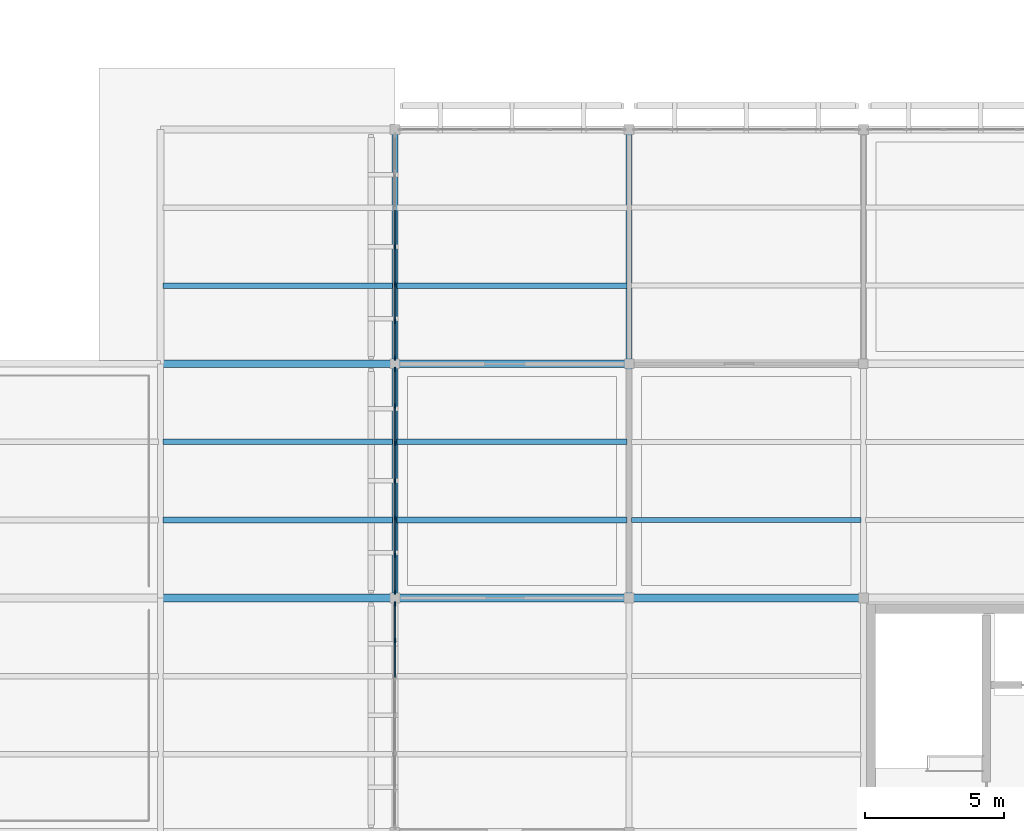
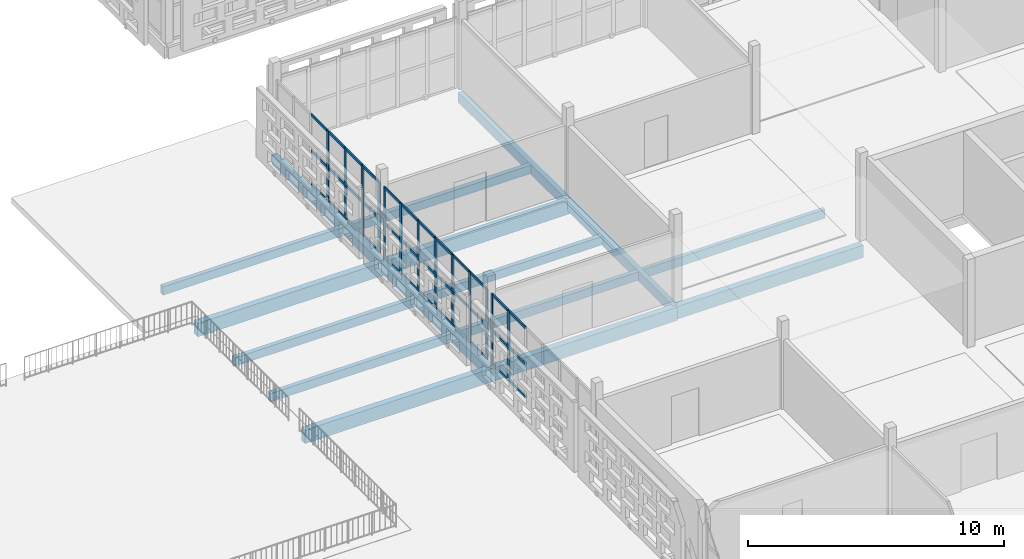
# One storey, part 61 of 166: 49 members, 16 beams, 3 elements without a shape of their own.
"""IFC4 building model written with IfcOpenShell, lengths in metres."""

from ifc_helpers import new_model, si_unit, direction, frame, origin, origin_2d, place, context, subcontext, project, spatial, rectangle, extrude, material, layer, layer_set, material_profile, profile_set, type_object, element, aggregate, save


model = new_model("IFC4")

# Units and contexts
model_context = context("Model", 3, precision=1e-05, world=origin(), true_north=direction((0.0, 1.0)))
body_context = subcontext(model_context, "Body", "Model", "MODEL_VIEW")
ifc_project = project(units=[si_unit("LENGTHUNIT", "METRE"), si_unit("AREAUNIT", "SQUARE_METRE"), si_unit("VOLUMEUNIT", "CUBIC_METRE"), si_unit("PLANEANGLEUNIT", "RADIAN"), si_unit("MASSUNIT", "GRAM", prefix="KILO")], contexts=[model_context])

# Site, building, storey
site_placement = place(None, origin())
site = spatial("IfcSite", under=ifc_project, at=site_placement, CompositionType="ELEMENT")
building_placement = place(site_placement, origin())
building = spatial("IfcBuilding", under=site, at=building_placement, Name="Varnapada Polytechnic", CompositionType="ELEMENT")
storey_placement = place(building_placement, frame((0.0, 0.0, 9.60009765625)))
storey = spatial("IfcBuildingStorey", under=building, at=storey_placement, Name="L02", CompositionType="ELEMENT", Elevation=9.60009765625)

# Beams
ifc_material_1 = material(Name="Glulam GL32h", Category="wood")
ifc_material_profile_1 = material_profile(ifc_material_1, rectangle(XDim=0.280029296875, YDim=0.639892578125, at=origin_2d()), Name="GL 280x640")
ifc_profile_set_1 = profile_set([ifc_material_profile_1], Name="Glulam GL32h")
beam_type_1 = type_object("IfcBeamType", Name="Laboratory primary glulam girder GG-02 (GL 280x640)", PredefinedType="BEAM", material=ifc_profile_set_1)
for number, where, z_axis, x_axis, name in (
    (1, (126.0, 33.60009765625, -0.590087890625), (1.0, 0.0, 0.0), (0.0, 1.0, 0.0), "L02 beam X 16-17 at Y5"),
    (2, (126.0, 42.0, -0.590087890625), (1.0, 0.0, 0.0), (0.0, 1.0, 0.0), "L02 beam X 16-17 at Y6"),
):
    element("IfcBeam", number, at=place(storey_placement, frame(where, z_axis=z_axis, x_axis=x_axis)), inside=storey, type_object=beam_type_1, Name=name, PredefinedType="BEAM", context=body_context, shape_type="SweptSolid", body=[
        extrude(rectangle(XDim=0.280029296875, YDim=0.639892578125, at=origin_2d()), origin(), (0.0, 0.0, 1.0), 8.39990234375),
    ])
for number, where, z_axis, x_axis, name in (
    (3, (134.39990234375, 33.60009765625, -0.590087890625), (1.0, 0.0, 0.0), (0.0, 1.0, 0.0), "L02 beam X 17-18 at Y5"),
    (4, (134.39990234375, 42.0, -0.590087890625), (1.0, 0.0, 0.0), (0.0, 1.0, 0.0), "L02 beam X 17-18 at Y6"),
):
    element("IfcBeam", number, at=place(storey_placement, frame(where, z_axis=z_axis, x_axis=x_axis)), inside=storey, type_object=beam_type_1, Name=name, PredefinedType="BEAM", context=body_context, shape_type="SweptSolid", body=[
        extrude(rectangle(XDim=0.280029296875, YDim=0.639892578125, at=origin_2d()), origin(), (0.0, 0.0, 1.0), 8.400146484375),
    ])
ifc_material_profile_2 = material_profile(ifc_material_1, rectangle(XDim=0.199951171875, YDim=0.39990234375, at=origin_2d()), Name="GL 200x400")
ifc_profile_set_2 = profile_set([ifc_material_profile_2], Name="Glulam GL32h")
beam_type_2 = type_object("IfcBeamType", Name="Library/laboratory glulam floor joist GJ-01 (GL 200x400)", PredefinedType="JOIST", material=ifc_profile_set_2)
for number, where, z_axis, x_axis, name in (
    (5, (126.080078125, 36.39990234375, -0.47021484375), (1.0, 0.0, 0.0), (0.0, 1.0, 0.0), "L02 floor joist 16/5.1"),
    (6, (126.080078125, 39.199951171875, -0.47021484375), (1.0, 0.0, 0.0), (0.0, 1.0, 0.0), "L02 floor joist 16/5.2"),
    (7, (126.080078125, 44.800048828125, -0.47021484375), (1.0, 0.0, 0.0), (0.0, 1.0, 0.0), "L02 floor joist 16/6.1"),
    (8, (134.47998046875, 36.39990234375, -0.47021484375), (1.0, 0.0, 0.0), (0.0, 1.0, 0.0), "L02 floor joist 17/5.1"),
    (9, (134.47998046875, 39.199951171875, -0.47021484375), (1.0, 0.0, 0.0), (0.0, 1.0, 0.0), "L02 floor joist 17/5.2"),
    (10, (134.47998046875, 44.800048828125, -0.47021484375), (1.0, 0.0, 0.0), (0.0, 1.0, 0.0), "L02 floor joist 17/6.1"),
):
    element("IfcBeam", number, at=place(storey_placement, frame(where, z_axis=z_axis, x_axis=x_axis)), inside=storey, type_object=beam_type_2, Name=name, PredefinedType="JOIST", context=body_context, shape_type="SweptSolid", body=[
        extrude(rectangle(XDim=0.199951171875, YDim=0.39990234375, at=origin_2d()), origin(), (0.0, 0.0, 1.0), 8.239990234375),
    ])

# Curtain wall, members
ifc_material_2 = material(Name="Double low-E laminated glass", Category="glass")
ifc_layer = layer(ifc_material_2, 0.159912109375)
ifc_layer_set = layer_set([ifc_layer], Name="Double low-E laminated glass")
curtain_wall_type = type_object("IfcCurtainWallType", Name="Curtain Wall CW-01", PredefinedType="NOTDEFINED", material=ifc_layer_set)
curtain_wall_1_placement = place(storey_placement, origin())
curtain_wall_1 = element("IfcCurtainWall", 11, at=curtain_wall_1_placement, inside=storey, type_object=curtain_wall_type, Name="L02 unitised curtain wall CW-01 (184)", PredefinedType="NOTDEFINED")
ifc_material_3 = material(Name="Anodised aluminium", Category="aluminium")
ifc_material_profile_3 = material_profile(ifc_material_3, rectangle(XDim=0.06005859375, YDim=0.159912109375, at=origin_2d()), Name="ALU M60x160")
ifc_profile_set_3 = profile_set([ifc_material_profile_3], Name="Anodised aluminium")
member_type_1 = type_object("IfcMemberType", Name="Mullion M-01", PredefinedType="MULLION", material=ifc_profile_set_3)
member_1_placement = place(storey_placement, frame((134.39990234375, 32.078369140625, 0.0), z_axis=(0.0, 0.0, 1.0), x_axis=(-1.0, 0.0, 0.0)))
member_1 = element("IfcMember", 12, at=member_1_placement, type_object=member_type_1, Name="CW-01 mullion 6", PredefinedType="MULLION", context=body_context, shape_type="SweptSolid", body=[
    extrude(rectangle(XDim=0.06005859375, YDim=0.159912109375, at=origin_2d()), origin(), (0.0, 0.0, 1.0), 3.35986328125),
])
member_2_placement = place(storey_placement, frame((134.39990234375, 33.389892578125, 0.0), z_axis=(0.0, 0.0, 1.0), x_axis=(-1.0, 0.0, 0.0)))
member_2 = element("IfcMember", 13, at=member_2_placement, type_object=member_type_1, Name="CW-01 mullion 7", PredefinedType="MULLION", context=body_context, shape_type="SweptSolid", body=[
    extrude(rectangle(XDim=0.06005859375, YDim=0.159912109375, at=origin_2d()), origin(), (0.0, 0.0, 1.0), 3.35986328125),
])

curtain_wall_2_placement = place(storey_placement, origin())
curtain_wall_2 = element("IfcCurtainWall", 14, at=curtain_wall_2_placement, inside=storey, type_object=curtain_wall_type, Name="L02 unitised curtain wall CW-01 (185)", PredefinedType="NOTDEFINED")
member_3_placement = place(storey_placement, frame((134.39990234375, 33.81005859375, 0.0), z_axis=(0.0, 0.0, 1.0), x_axis=(-1.0, 0.0, 0.0)))
member_3 = element("IfcMember", 15, at=member_3_placement, type_object=member_type_1, Name="CW-01 mullion 1", PredefinedType="MULLION", context=body_context, shape_type="SweptSolid", body=[
    extrude(rectangle(XDim=0.06005859375, YDim=0.159912109375, at=origin_2d()), origin(), (0.0, 0.0, 1.0), 3.35986328125),
])
member_4_placement = place(storey_placement, frame((134.39990234375, 35.12158203125, 0.0), z_axis=(0.0, 0.0, 1.0), x_axis=(-1.0, 0.0, 0.0)))
member_4 = element("IfcMember", 16, at=member_4_placement, type_object=member_type_1, Name="CW-01 mullion 2", PredefinedType="MULLION", context=body_context, shape_type="SweptSolid", body=[
    extrude(rectangle(XDim=0.06005859375, YDim=0.159912109375, at=origin_2d()), origin(), (0.0, 0.0, 1.0), 3.35986328125),
])
member_5_placement = place(storey_placement, frame((134.39990234375, 36.46337890625, 0.0), z_axis=(0.0, 0.0, 1.0), x_axis=(-1.0, 0.0, 0.0)))
member_5 = element("IfcMember", 17, at=member_5_placement, type_object=member_type_1, Name="CW-01 mullion 3", PredefinedType="MULLION", context=body_context, shape_type="SweptSolid", body=[
    extrude(rectangle(XDim=0.06005859375, YDim=0.159912109375, at=origin_2d()), origin(), (0.0, 0.0, 1.0), 3.35986328125),
])
member_6_placement = place(storey_placement, frame((134.39990234375, 37.804931640625, 0.0), z_axis=(0.0, 0.0, 1.0), x_axis=(-1.0, 0.0, 0.0)))
member_6 = element("IfcMember", 18, at=member_6_placement, type_object=member_type_1, Name="CW-01 mullion 4", PredefinedType="MULLION", context=body_context, shape_type="SweptSolid", body=[
    extrude(rectangle(XDim=0.06005859375, YDim=0.159912109375, at=origin_2d()), origin(), (0.0, 0.0, 1.0), 3.35986328125),
])
member_7_placement = place(storey_placement, frame((134.39990234375, 39.146728515625, 0.0), z_axis=(0.0, 0.0, 1.0), x_axis=(-1.0, 0.0, 0.0)))
member_7 = element("IfcMember", 19, at=member_7_placement, type_object=member_type_1, Name="CW-01 mullion 5", PredefinedType="MULLION", context=body_context, shape_type="SweptSolid", body=[
    extrude(rectangle(XDim=0.06005859375, YDim=0.159912109375, at=origin_2d()), origin(), (0.0, 0.0, 1.0), 3.35986328125),
])
member_8_placement = place(storey_placement, frame((134.39990234375, 40.48828125, 0.0), z_axis=(0.0, 0.0, 1.0), x_axis=(-1.0, 0.0, 0.0)))
member_8 = element("IfcMember", 20, at=member_8_placement, type_object=member_type_1, Name="CW-01 mullion 6", PredefinedType="MULLION", context=body_context, shape_type="SweptSolid", body=[
    extrude(rectangle(XDim=0.06005859375, YDim=0.159912109375, at=origin_2d()), origin(), (0.0, 0.0, 1.0), 3.35986328125),
])
member_9_placement = place(storey_placement, frame((134.39990234375, 41.800048828125, 0.0), z_axis=(0.0, 0.0, 1.0), x_axis=(-1.0, 0.0, 0.0)))
member_9 = element("IfcMember", 21, at=member_9_placement, type_object=member_type_1, Name="CW-01 mullion 7", PredefinedType="MULLION", context=body_context, shape_type="SweptSolid", body=[
    extrude(rectangle(XDim=0.06005859375, YDim=0.159912109375, at=origin_2d()), origin(), (0.0, 0.0, 1.0), 3.35986328125),
])

curtain_wall_3_placement = place(storey_placement, origin())
curtain_wall_3 = element("IfcCurtainWall", 22, at=curtain_wall_3_placement, inside=storey, type_object=curtain_wall_type, Name="L02 unitised curtain wall CW-01 (187)", PredefinedType="NOTDEFINED")
member_10_placement = place(storey_placement, frame((134.39990234375, 42.199951171875, 0.0), z_axis=(0.0, 0.0, 1.0), x_axis=(-1.0, 0.0, 0.0)))
member_10 = element("IfcMember", 23, at=member_10_placement, type_object=member_type_1, Name="CW-01 mullion 1", PredefinedType="MULLION", context=body_context, shape_type="SweptSolid", body=[
    extrude(rectangle(XDim=0.06005859375, YDim=0.159912109375, at=origin_2d()), origin(), (0.0, 0.0, 1.0), 3.35986328125),
])
member_11_placement = place(storey_placement, frame((134.39990234375, 43.51171875, 0.0), z_axis=(0.0, 0.0, 1.0), x_axis=(-1.0, 0.0, 0.0)))
member_11 = element("IfcMember", 24, at=member_11_placement, type_object=member_type_1, Name="CW-01 mullion 2", PredefinedType="MULLION", context=body_context, shape_type="SweptSolid", body=[
    extrude(rectangle(XDim=0.06005859375, YDim=0.159912109375, at=origin_2d()), origin(), (0.0, 0.0, 1.0), 3.35986328125),
])
member_12_placement = place(storey_placement, frame((134.39990234375, 44.853271484375, 0.0), z_axis=(0.0, 0.0, 1.0), x_axis=(-1.0, 0.0, 0.0)))
member_12 = element("IfcMember", 25, at=member_12_placement, type_object=member_type_1, Name="CW-01 mullion 3", PredefinedType="MULLION", context=body_context, shape_type="SweptSolid", body=[
    extrude(rectangle(XDim=0.06005859375, YDim=0.159912109375, at=origin_2d()), origin(), (0.0, 0.0, 1.0), 3.35986328125),
])
member_13_placement = place(storey_placement, frame((134.39990234375, 46.195068359375, 0.0), z_axis=(0.0, 0.0, 1.0), x_axis=(-1.0, 0.0, 0.0)))
member_13 = element("IfcMember", 26, at=member_13_placement, type_object=member_type_1, Name="CW-01 mullion 4", PredefinedType="MULLION", context=body_context, shape_type="SweptSolid", body=[
    extrude(rectangle(XDim=0.06005859375, YDim=0.159912109375, at=origin_2d()), origin(), (0.0, 0.0, 1.0), 3.35986328125),
])

# Beams
ifc_material_profile_4 = material_profile(ifc_material_1, rectangle(XDim=0.280029296875, YDim=0.60009765625, at=origin_2d()), Name="GL 280x600")
ifc_profile_set_4 = profile_set([ifc_material_profile_4], Name="Glulam GL32h")
beam_type_3 = type_object("IfcBeamType", Name="Reading hall glulam girder GG-08 (GL 280x600)", PredefinedType="BEAM", material=ifc_profile_set_4)
beam_1_placement = place(storey_placement, frame((142.800048828125, 33.60009765625, -0.550048828125), z_axis=(1.0, 0.0, 0.0), x_axis=(0.0, 1.0, 0.0)))
element("IfcBeam", 27, at=beam_1_placement, inside=storey, type_object=beam_type_3, Name="L02 beam X 18-19 at Y5", PredefinedType="BEAM", context=body_context, shape_type="SweptSolid", body=[
    extrude(rectangle(XDim=0.280029296875, YDim=0.60009765625, at=origin_2d()), origin(), (0.0, 0.0, 1.0), 8.39990234375),
])
ifc_material_profile_5 = material_profile(ifc_material_1, rectangle(XDim=0.179931640625, YDim=0.419921875, at=origin_2d()), Name="GL 180x420")
ifc_profile_set_5 = profile_set([ifc_material_profile_5], Name="Glulam GL32h")
beam_type_4 = type_object("IfcBeamType", Name="Reading hall glulam joist GJ-04 (GL 180x420)", PredefinedType="JOIST", material=ifc_profile_set_5)
beam_2_placement = place(storey_placement, frame((142.8798828125, 36.39990234375, -0.460205078125), z_axis=(1.0, 0.0, 0.0), x_axis=(0.0, 1.0, 0.0)))
element("IfcBeam", 28, at=beam_2_placement, inside=storey, type_object=beam_type_4, Name="L02 floor joist 18/5.1", PredefinedType="JOIST", context=body_context, shape_type="SweptSolid", body=[
    extrude(rectangle(XDim=0.179931640625, YDim=0.419921875, at=origin_2d()), origin(), (0.0, 0.0, 1.0), 8.240234375),
])

# Member
ifc_material_profile_6 = material_profile(ifc_material_3, rectangle(XDim=0.06005859375, YDim=0.1201171875, at=origin_2d()), Name="ALU T60x120")
ifc_profile_set_6 = profile_set([ifc_material_profile_6], Name="Anodised aluminium")
member_type_2 = type_object("IfcMemberType", Name="Transom T-01", PredefinedType="USERDEFINED", material=ifc_profile_set_6)
member_14_placement = place(storey_placement, frame((134.39990234375, 30.7666015625, 0.02978515625), z_axis=(0.0, 1.0, 0.0), x_axis=(-1.0, 0.0, 0.0)))
member_14 = element("IfcMember", 29, at=member_14_placement, type_object=member_type_2, Name="CW-01 transom 5.1", ObjectType="TRANSOM", PredefinedType="USERDEFINED", context=body_context, shape_type="SweptSolid", body=[
    extrude(rectangle(XDim=0.06005859375, YDim=0.1201171875, at=origin_2d()), origin(), (0.0, 0.0, 1.0), 1.28173828125),
])

member_15_placement = place(storey_placement, frame((134.39990234375, 30.7666015625, 1.61279296875), z_axis=(0.0, 1.0, 0.0), x_axis=(-1.0, 0.0, 0.0)))
member_15 = element("IfcMember", 30, at=member_15_placement, type_object=member_type_2, Name="CW-01 transom 5.2", ObjectType="TRANSOM", PredefinedType="USERDEFINED", context=body_context, shape_type="SweptSolid", body=[
    extrude(rectangle(XDim=0.06005859375, YDim=0.1201171875, at=origin_2d()), origin(), (0.0, 0.0, 1.0), 1.28173828125),
])

member_16_placement = place(storey_placement, frame((134.39990234375, 30.7666015625, 3.329833984375), z_axis=(0.0, 1.0, 0.0), x_axis=(-1.0, 0.0, 0.0)))
member_16 = element("IfcMember", 31, at=member_16_placement, type_object=member_type_2, Name="CW-01 transom 5.3", ObjectType="TRANSOM", PredefinedType="USERDEFINED", context=body_context, shape_type="SweptSolid", body=[
    extrude(rectangle(XDim=0.06005859375, YDim=0.1201171875, at=origin_2d()), origin(), (0.0, 0.0, 1.0), 1.28173828125),
])

member_17_placement = place(storey_placement, frame((134.39990234375, 32.1083984375, 0.02978515625), z_axis=(0.0, 1.0, 0.0), x_axis=(-1.0, 0.0, 0.0)))
member_17 = element("IfcMember", 32, at=member_17_placement, type_object=member_type_2, Name="CW-01 transom 6.1", ObjectType="TRANSOM", PredefinedType="USERDEFINED", context=body_context, shape_type="SweptSolid", body=[
    extrude(rectangle(XDim=0.06005859375, YDim=0.1201171875, at=origin_2d()), origin(), (0.0, 0.0, 1.0), 1.251708984375),
])

member_18_placement = place(storey_placement, frame((134.39990234375, 32.1083984375, 1.61279296875), z_axis=(0.0, 1.0, 0.0), x_axis=(-1.0, 0.0, 0.0)))
member_18 = element("IfcMember", 33, at=member_18_placement, type_object=member_type_2, Name="CW-01 transom 6.2", ObjectType="TRANSOM", PredefinedType="USERDEFINED", context=body_context, shape_type="SweptSolid", body=[
    extrude(rectangle(XDim=0.06005859375, YDim=0.1201171875, at=origin_2d()), origin(), (0.0, 0.0, 1.0), 1.251708984375),
])

member_19_placement = place(storey_placement, frame((134.39990234375, 32.1083984375, 3.329833984375), z_axis=(0.0, 1.0, 0.0), x_axis=(-1.0, 0.0, 0.0)))
member_19 = element("IfcMember", 34, at=member_19_placement, type_object=member_type_2, Name="CW-01 transom 6.3", ObjectType="TRANSOM", PredefinedType="USERDEFINED", context=body_context, shape_type="SweptSolid", body=[
    extrude(rectangle(XDim=0.06005859375, YDim=0.1201171875, at=origin_2d()), origin(), (0.0, 0.0, 1.0), 1.251708984375),
])

aggregate(curtain_wall_1, [member_1, member_2, member_14, member_15, member_16, member_17, member_18, member_19])

member_20_placement = place(storey_placement, frame((134.39990234375, 33.840087890625, 0.02978515625), z_axis=(0.0, 1.0, 0.0), x_axis=(-1.0, 0.0, 0.0)))
member_20 = element("IfcMember", 35, at=member_20_placement, type_object=member_type_2, Name="CW-01 transom 1.1", ObjectType="TRANSOM", PredefinedType="USERDEFINED", context=body_context, shape_type="SweptSolid", body=[
    extrude(rectangle(XDim=0.06005859375, YDim=0.1201171875, at=origin_2d()), origin(), (0.0, 0.0, 1.0), 1.25146484375),
])

member_21_placement = place(storey_placement, frame((134.39990234375, 33.840087890625, 1.61279296875), z_axis=(0.0, 1.0, 0.0), x_axis=(-1.0, 0.0, 0.0)))
member_21 = element("IfcMember", 36, at=member_21_placement, type_object=member_type_2, Name="CW-01 transom 1.2", ObjectType="TRANSOM", PredefinedType="USERDEFINED", context=body_context, shape_type="SweptSolid", body=[
    extrude(rectangle(XDim=0.06005859375, YDim=0.1201171875, at=origin_2d()), origin(), (0.0, 0.0, 1.0), 1.25146484375),
])

member_22_placement = place(storey_placement, frame((134.39990234375, 33.840087890625, 3.329833984375), z_axis=(0.0, 1.0, 0.0), x_axis=(-1.0, 0.0, 0.0)))
member_22 = element("IfcMember", 37, at=member_22_placement, type_object=member_type_2, Name="CW-01 transom 1.3", ObjectType="TRANSOM", PredefinedType="USERDEFINED", context=body_context, shape_type="SweptSolid", body=[
    extrude(rectangle(XDim=0.06005859375, YDim=0.1201171875, at=origin_2d()), origin(), (0.0, 0.0, 1.0), 1.25146484375),
])

member_23_placement = place(storey_placement, frame((134.39990234375, 35.151611328125, 0.02978515625), z_axis=(0.0, 1.0, 0.0), x_axis=(-1.0, 0.0, 0.0)))
member_23 = element("IfcMember", 38, at=member_23_placement, type_object=member_type_2, Name="CW-01 transom 2.1", ObjectType="TRANSOM", PredefinedType="USERDEFINED", context=body_context, shape_type="SweptSolid", body=[
    extrude(rectangle(XDim=0.06005859375, YDim=0.1201171875, at=origin_2d()), origin(), (0.0, 0.0, 1.0), 1.28173828125),
])

member_24_placement = place(storey_placement, frame((134.39990234375, 35.151611328125, 1.61279296875), z_axis=(0.0, 1.0, 0.0), x_axis=(-1.0, 0.0, 0.0)))
member_24 = element("IfcMember", 39, at=member_24_placement, type_object=member_type_2, Name="CW-01 transom 2.2", ObjectType="TRANSOM", PredefinedType="USERDEFINED", context=body_context, shape_type="SweptSolid", body=[
    extrude(rectangle(XDim=0.06005859375, YDim=0.1201171875, at=origin_2d()), origin(), (0.0, 0.0, 1.0), 1.28173828125),
])

member_25_placement = place(storey_placement, frame((134.39990234375, 35.151611328125, 3.329833984375), z_axis=(0.0, 1.0, 0.0), x_axis=(-1.0, 0.0, 0.0)))
member_25 = element("IfcMember", 40, at=member_25_placement, type_object=member_type_2, Name="CW-01 transom 2.3", ObjectType="TRANSOM", PredefinedType="USERDEFINED", context=body_context, shape_type="SweptSolid", body=[
    extrude(rectangle(XDim=0.06005859375, YDim=0.1201171875, at=origin_2d()), origin(), (0.0, 0.0, 1.0), 1.28173828125),
])

member_26_placement = place(storey_placement, frame((134.39990234375, 36.493408203125, 0.02978515625), z_axis=(0.0, 1.0, 0.0), x_axis=(-1.0, 0.0, 0.0)))
member_26 = element("IfcMember", 41, at=member_26_placement, type_object=member_type_2, Name="CW-01 transom 3.1", ObjectType="TRANSOM", PredefinedType="USERDEFINED", context=body_context, shape_type="SweptSolid", body=[
    extrude(rectangle(XDim=0.06005859375, YDim=0.1201171875, at=origin_2d()), origin(), (0.0, 0.0, 1.0), 1.281494140625),
])

member_27_placement = place(storey_placement, frame((134.39990234375, 36.493408203125, 1.61279296875), z_axis=(0.0, 1.0, 0.0), x_axis=(-1.0, 0.0, 0.0)))
member_27 = element("IfcMember", 42, at=member_27_placement, type_object=member_type_2, Name="CW-01 transom 3.2", ObjectType="TRANSOM", PredefinedType="USERDEFINED", context=body_context, shape_type="SweptSolid", body=[
    extrude(rectangle(XDim=0.06005859375, YDim=0.1201171875, at=origin_2d()), origin(), (0.0, 0.0, 1.0), 1.281494140625),
])

member_28_placement = place(storey_placement, frame((134.39990234375, 36.493408203125, 3.329833984375), z_axis=(0.0, 1.0, 0.0), x_axis=(-1.0, 0.0, 0.0)))
member_28 = element("IfcMember", 43, at=member_28_placement, type_object=member_type_2, Name="CW-01 transom 3.3", ObjectType="TRANSOM", PredefinedType="USERDEFINED", context=body_context, shape_type="SweptSolid", body=[
    extrude(rectangle(XDim=0.06005859375, YDim=0.1201171875, at=origin_2d()), origin(), (0.0, 0.0, 1.0), 1.281494140625),
])

member_29_placement = place(storey_placement, frame((134.39990234375, 37.8349609375, 0.02978515625), z_axis=(0.0, 1.0, 0.0), x_axis=(-1.0, 0.0, 0.0)))
member_29 = element("IfcMember", 44, at=member_29_placement, type_object=member_type_2, Name="CW-01 transom 4.1", ObjectType="TRANSOM", PredefinedType="USERDEFINED", context=body_context, shape_type="SweptSolid", body=[
    extrude(rectangle(XDim=0.06005859375, YDim=0.1201171875, at=origin_2d()), origin(), (0.0, 0.0, 1.0), 1.28173828125),
])

member_30_placement = place(storey_placement, frame((134.39990234375, 37.8349609375, 1.61279296875), z_axis=(0.0, 1.0, 0.0), x_axis=(-1.0, 0.0, 0.0)))
member_30 = element("IfcMember", 45, at=member_30_placement, type_object=member_type_2, Name="CW-01 transom 4.2", ObjectType="TRANSOM", PredefinedType="USERDEFINED", context=body_context, shape_type="SweptSolid", body=[
    extrude(rectangle(XDim=0.06005859375, YDim=0.1201171875, at=origin_2d()), origin(), (0.0, 0.0, 1.0), 1.28173828125),
])

member_31_placement = place(storey_placement, frame((134.39990234375, 37.8349609375, 3.329833984375), z_axis=(0.0, 1.0, 0.0), x_axis=(-1.0, 0.0, 0.0)))
member_31 = element("IfcMember", 46, at=member_31_placement, type_object=member_type_2, Name="CW-01 transom 4.3", ObjectType="TRANSOM", PredefinedType="USERDEFINED", context=body_context, shape_type="SweptSolid", body=[
    extrude(rectangle(XDim=0.06005859375, YDim=0.1201171875, at=origin_2d()), origin(), (0.0, 0.0, 1.0), 1.28173828125),
])

member_32_placement = place(storey_placement, frame((134.39990234375, 39.1767578125, 0.02978515625), z_axis=(0.0, 1.0, 0.0), x_axis=(-1.0, 0.0, 0.0)))
member_32 = element("IfcMember", 47, at=member_32_placement, type_object=member_type_2, Name="CW-01 transom 5.1", ObjectType="TRANSOM", PredefinedType="USERDEFINED", context=body_context, shape_type="SweptSolid", body=[
    extrude(rectangle(XDim=0.06005859375, YDim=0.1201171875, at=origin_2d()), origin(), (0.0, 0.0, 1.0), 1.281494140625),
])

member_33_placement = place(storey_placement, frame((134.39990234375, 39.1767578125, 1.61279296875), z_axis=(0.0, 1.0, 0.0), x_axis=(-1.0, 0.0, 0.0)))
member_33 = element("IfcMember", 48, at=member_33_placement, type_object=member_type_2, Name="CW-01 transom 5.2", ObjectType="TRANSOM", PredefinedType="USERDEFINED", context=body_context, shape_type="SweptSolid", body=[
    extrude(rectangle(XDim=0.06005859375, YDim=0.1201171875, at=origin_2d()), origin(), (0.0, 0.0, 1.0), 1.281494140625),
])

member_34_placement = place(storey_placement, frame((134.39990234375, 39.1767578125, 3.329833984375), z_axis=(0.0, 1.0, 0.0), x_axis=(-1.0, 0.0, 0.0)))
member_34 = element("IfcMember", 49, at=member_34_placement, type_object=member_type_2, Name="CW-01 transom 5.3", ObjectType="TRANSOM", PredefinedType="USERDEFINED", context=body_context, shape_type="SweptSolid", body=[
    extrude(rectangle(XDim=0.06005859375, YDim=0.1201171875, at=origin_2d()), origin(), (0.0, 0.0, 1.0), 1.281494140625),
])

member_35_placement = place(storey_placement, frame((134.39990234375, 40.518310546875, 0.02978515625), z_axis=(0.0, 1.0, 0.0), x_axis=(-1.0, 0.0, 0.0)))
member_35 = element("IfcMember", 50, at=member_35_placement, type_object=member_type_2, Name="CW-01 transom 6.1", ObjectType="TRANSOM", PredefinedType="USERDEFINED", context=body_context, shape_type="SweptSolid", body=[
    extrude(rectangle(XDim=0.06005859375, YDim=0.1201171875, at=origin_2d()), origin(), (0.0, 0.0, 1.0), 1.251708984375),
])

member_36_placement = place(storey_placement, frame((134.39990234375, 40.518310546875, 1.61279296875), z_axis=(0.0, 1.0, 0.0), x_axis=(-1.0, 0.0, 0.0)))
member_36 = element("IfcMember", 51, at=member_36_placement, type_object=member_type_2, Name="CW-01 transom 6.2", ObjectType="TRANSOM", PredefinedType="USERDEFINED", context=body_context, shape_type="SweptSolid", body=[
    extrude(rectangle(XDim=0.06005859375, YDim=0.1201171875, at=origin_2d()), origin(), (0.0, 0.0, 1.0), 1.251708984375),
])

member_37_placement = place(storey_placement, frame((134.39990234375, 40.518310546875, 3.329833984375), z_axis=(0.0, 1.0, 0.0), x_axis=(-1.0, 0.0, 0.0)))
member_37 = element("IfcMember", 52, at=member_37_placement, type_object=member_type_2, Name="CW-01 transom 6.3", ObjectType="TRANSOM", PredefinedType="USERDEFINED", context=body_context, shape_type="SweptSolid", body=[
    extrude(rectangle(XDim=0.06005859375, YDim=0.1201171875, at=origin_2d()), origin(), (0.0, 0.0, 1.0), 1.251708984375),
])

aggregate(curtain_wall_2, [member_3, member_4, member_5, member_6, member_7, member_8, member_9, member_20, member_21, member_22, member_23, member_24, member_25, member_26, member_27, member_28, member_29, member_30, member_31, member_32, member_33, member_34, member_35, member_36, member_37])

member_38_placement = place(storey_placement, frame((134.39990234375, 42.22998046875, 0.02978515625), z_axis=(0.0, 1.0, 0.0), x_axis=(-1.0, 0.0, 0.0)))
member_38 = element("IfcMember", 53, at=member_38_placement, type_object=member_type_2, Name="CW-01 transom 1.1", ObjectType="TRANSOM", PredefinedType="USERDEFINED", context=body_context, shape_type="SweptSolid", body=[
    extrude(rectangle(XDim=0.06005859375, YDim=0.1201171875, at=origin_2d()), origin(), (0.0, 0.0, 1.0), 1.251708984375),
])

member_39_placement = place(storey_placement, frame((134.39990234375, 42.22998046875, 1.61279296875), z_axis=(0.0, 1.0, 0.0), x_axis=(-1.0, 0.0, 0.0)))
member_39 = element("IfcMember", 54, at=member_39_placement, type_object=member_type_2, Name="CW-01 transom 1.2", ObjectType="TRANSOM", PredefinedType="USERDEFINED", context=body_context, shape_type="SweptSolid", body=[
    extrude(rectangle(XDim=0.06005859375, YDim=0.1201171875, at=origin_2d()), origin(), (0.0, 0.0, 1.0), 1.251708984375),
])

member_40_placement = place(storey_placement, frame((134.39990234375, 42.22998046875, 3.329833984375), z_axis=(0.0, 1.0, 0.0), x_axis=(-1.0, 0.0, 0.0)))
member_40 = element("IfcMember", 55, at=member_40_placement, type_object=member_type_2, Name="CW-01 transom 1.3", ObjectType="TRANSOM", PredefinedType="USERDEFINED", context=body_context, shape_type="SweptSolid", body=[
    extrude(rectangle(XDim=0.06005859375, YDim=0.1201171875, at=origin_2d()), origin(), (0.0, 0.0, 1.0), 1.251708984375),
])

member_41_placement = place(storey_placement, frame((134.39990234375, 43.541748046875, 0.02978515625), z_axis=(0.0, 1.0, 0.0), x_axis=(-1.0, 0.0, 0.0)))
member_41 = element("IfcMember", 56, at=member_41_placement, type_object=member_type_2, Name="CW-01 transom 2.1", ObjectType="TRANSOM", PredefinedType="USERDEFINED", context=body_context, shape_type="SweptSolid", body=[
    extrude(rectangle(XDim=0.06005859375, YDim=0.1201171875, at=origin_2d()), origin(), (0.0, 0.0, 1.0), 1.281494140625),
])

member_42_placement = place(storey_placement, frame((134.39990234375, 43.541748046875, 1.61279296875), z_axis=(0.0, 1.0, 0.0), x_axis=(-1.0, 0.0, 0.0)))
member_42 = element("IfcMember", 57, at=member_42_placement, type_object=member_type_2, Name="CW-01 transom 2.2", ObjectType="TRANSOM", PredefinedType="USERDEFINED", context=body_context, shape_type="SweptSolid", body=[
    extrude(rectangle(XDim=0.06005859375, YDim=0.1201171875, at=origin_2d()), origin(), (0.0, 0.0, 1.0), 1.281494140625),
])

member_43_placement = place(storey_placement, frame((134.39990234375, 43.541748046875, 3.329833984375), z_axis=(0.0, 1.0, 0.0), x_axis=(-1.0, 0.0, 0.0)))
member_43 = element("IfcMember", 58, at=member_43_placement, type_object=member_type_2, Name="CW-01 transom 2.3", ObjectType="TRANSOM", PredefinedType="USERDEFINED", context=body_context, shape_type="SweptSolid", body=[
    extrude(rectangle(XDim=0.06005859375, YDim=0.1201171875, at=origin_2d()), origin(), (0.0, 0.0, 1.0), 1.281494140625),
])

member_44_placement = place(storey_placement, frame((134.39990234375, 44.88330078125, 0.02978515625), z_axis=(0.0, 1.0, 0.0), x_axis=(-1.0, 0.0, 0.0)))
member_44 = element("IfcMember", 59, at=member_44_placement, type_object=member_type_2, Name="CW-01 transom 3.1", ObjectType="TRANSOM", PredefinedType="USERDEFINED", context=body_context, shape_type="SweptSolid", body=[
    extrude(rectangle(XDim=0.06005859375, YDim=0.1201171875, at=origin_2d()), origin(), (0.0, 0.0, 1.0), 1.28173828125),
])

member_45_placement = place(storey_placement, frame((134.39990234375, 44.88330078125, 1.61279296875), z_axis=(0.0, 1.0, 0.0), x_axis=(-1.0, 0.0, 0.0)))
member_45 = element("IfcMember", 60, at=member_45_placement, type_object=member_type_2, Name="CW-01 transom 3.2", ObjectType="TRANSOM", PredefinedType="USERDEFINED", context=body_context, shape_type="SweptSolid", body=[
    extrude(rectangle(XDim=0.06005859375, YDim=0.1201171875, at=origin_2d()), origin(), (0.0, 0.0, 1.0), 1.28173828125),
])

member_46_placement = place(storey_placement, frame((134.39990234375, 44.88330078125, 3.329833984375), z_axis=(0.0, 1.0, 0.0), x_axis=(-1.0, 0.0, 0.0)))
member_46 = element("IfcMember", 61, at=member_46_placement, type_object=member_type_2, Name="CW-01 transom 3.3", ObjectType="TRANSOM", PredefinedType="USERDEFINED", context=body_context, shape_type="SweptSolid", body=[
    extrude(rectangle(XDim=0.06005859375, YDim=0.1201171875, at=origin_2d()), origin(), (0.0, 0.0, 1.0), 1.28173828125),
])

member_47_placement = place(storey_placement, frame((134.39990234375, 46.22509765625, 0.02978515625), z_axis=(0.0, 1.0, 0.0), x_axis=(-1.0, 0.0, 0.0)))
member_47 = element("IfcMember", 62, at=member_47_placement, type_object=member_type_2, Name="CW-01 transom 4.1", ObjectType="TRANSOM", PredefinedType="USERDEFINED", context=body_context, shape_type="SweptSolid", body=[
    extrude(rectangle(XDim=0.06005859375, YDim=0.1201171875, at=origin_2d()), origin(), (0.0, 0.0, 1.0), 1.281494140625),
])

member_48_placement = place(storey_placement, frame((134.39990234375, 46.22509765625, 1.61279296875), z_axis=(0.0, 1.0, 0.0), x_axis=(-1.0, 0.0, 0.0)))
member_48 = element("IfcMember", 63, at=member_48_placement, type_object=member_type_2, Name="CW-01 transom 4.2", ObjectType="TRANSOM", PredefinedType="USERDEFINED", context=body_context, shape_type="SweptSolid", body=[
    extrude(rectangle(XDim=0.06005859375, YDim=0.1201171875, at=origin_2d()), origin(), (0.0, 0.0, 1.0), 1.281494140625),
])

member_49_placement = place(storey_placement, frame((134.39990234375, 46.22509765625, 3.329833984375), z_axis=(0.0, 1.0, 0.0), x_axis=(-1.0, 0.0, 0.0)))
member_49 = element("IfcMember", 64, at=member_49_placement, type_object=member_type_2, Name="CW-01 transom 4.3", ObjectType="TRANSOM", PredefinedType="USERDEFINED", context=body_context, shape_type="SweptSolid", body=[
    extrude(rectangle(XDim=0.06005859375, YDim=0.1201171875, at=origin_2d()), origin(), (0.0, 0.0, 1.0), 1.281494140625),
])

aggregate(curtain_wall_3, [member_10, member_11, member_12, member_13, member_38, member_39, member_40, member_41, member_42, member_43, member_44, member_45, member_46, member_47, member_48, member_49])

# Beams
ifc_material_profile_7 = material_profile(ifc_material_1, rectangle(XDim=0.219970703125, YDim=0.47998046875, at=origin_2d()), Name="GL 220x480")
ifc_profile_set_7 = profile_set([ifc_material_profile_7], Name="Glulam GL32h")
beam_type_5 = type_object("IfcBeamType", Name="Upper floor glulam tie beam GB-11 (GL 220x480)", PredefinedType="BEAM", material=ifc_profile_set_7)
for number, where, z_axis, x_axis, name in (
    (65, (134.39990234375, 33.60009765625, -0.510009765625), (0.0, 1.0, 0.0), (-1.0, 0.0, 0.0), "L02 beam Y 5-6 at X17"),
    (66, (134.39990234375, 42.0, -0.510009765625), (0.0, 1.0, 0.0), (-1.0, 0.0, 0.0), "L02 beam Y 6-7 at X17"),
    (67, (142.800048828125, 33.60009765625, -0.489990234375), (0.0, 1.0, 0.0), (-1.0, 0.0, 0.0), "L02 beam Y 5-6 at X18"),
    (68, (142.800048828125, 42.0, -0.489990234375), (0.0, 1.0, 0.0), (-1.0, 0.0, 0.0), "L02 beam Y 6-7 at X18"),
):
    element("IfcBeam", number, at=place(storey_placement, frame(where, z_axis=z_axis, x_axis=x_axis)), inside=storey, type_object=beam_type_5, Name=name, PredefinedType="BEAM", context=body_context, shape_type="SweptSolid", body=[
        extrude(rectangle(XDim=0.219970703125, YDim=0.47998046875, at=origin_2d()), origin(), (0.0, 0.0, 1.0), 8.39990234375),
    ])

save(model, "model.ifc")
